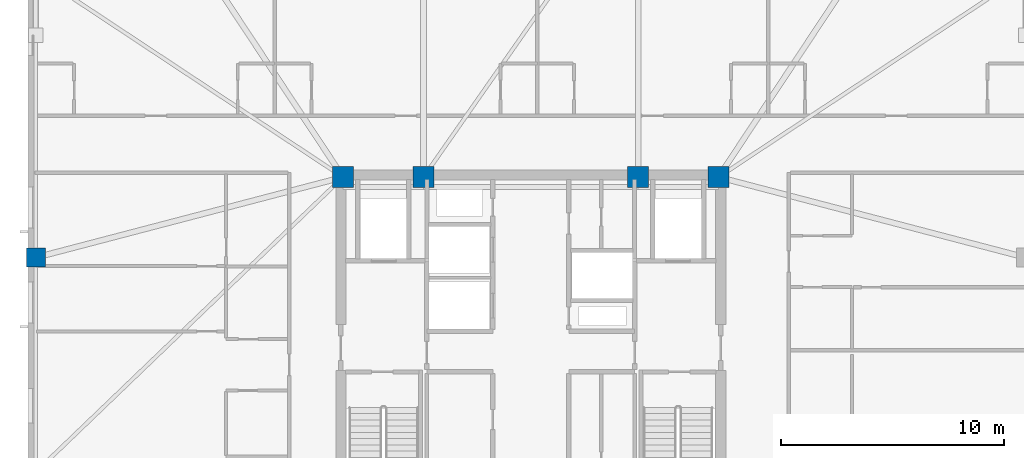
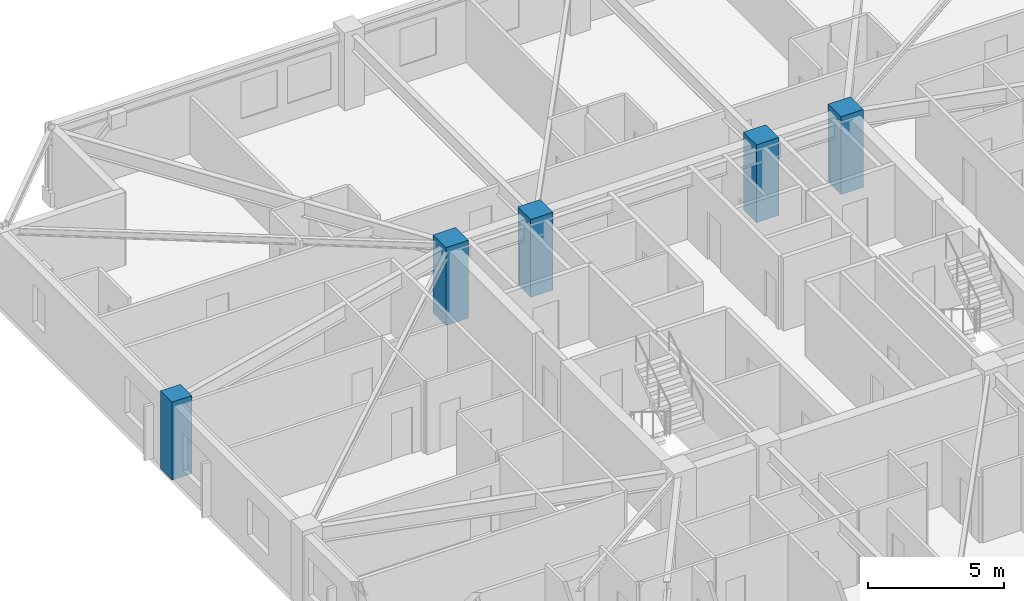
# One storey, part 2 of 17: 5 columns.
"""IFC4 building model written with IfcOpenShell, lengths in metres."""

import ifcopenshell
import ifcopenshell.guid

model = None  # the IFC model being written
_history = None  # IfcOwnerHistory: only IFC2X3 demands one
_inside = {}  # id of a spatial element -> (the spatial element, [elements in it])
_under = {}  # id of a project, library or spatial element -> (it, [spatial elements below it])
_declared = {}  # id of a project -> (the project, [libraries it declares])
_typed = {}  # id of a type object -> (the type object, [elements of that type])
_made_of = {}  # id of a material, layer set ... -> (it, [elements and type objects made of it])


def new_model(schema):
    """Start an empty IFC model of exactly this schema.

    Asked for "IFC4X3", IfcOpenShell would pick the latest addendum, in which some entities
    have other attributes; the version numbers below select the first issue.
    IFC2X3 requires an IfcOwnerHistory on every rooted entity: one is made here for all.
    """
    global model, _history
    if schema == "IFC4X3":
        model = ifcopenshell.file(schema_version=(4, 3, 0, 0))
    else:
        model = ifcopenshell.file(schema=schema)
    _inside.clear()
    _under.clear()
    _declared.clear()
    _typed.clear()
    _made_of.clear()
    _history = None
    if model.schema == "IFC2X3":
        org = make("IfcOrganization", Name="unknown")
        user = make(
            "IfcPersonAndOrganization",
            ThePerson=make("IfcPerson", FamilyName="unknown"),
            TheOrganization=org,
        )
        app = make(
            "IfcApplication",
            ApplicationDeveloper=org,
            Version="unknown",
            ApplicationFullName="unknown",
            ApplicationIdentifier="unknown",
        )
        _history = make(
            "IfcOwnerHistory",
            OwningUser=user,
            OwningApplication=app,
            ChangeAction="ADDED",
            CreationDate=0,
        )
    return model


def make(cls, **values):
    """One entity of the class cls with the attributes given. An attribute that is None is left unset."""
    return model.create_entity(
        cls, **{name: value for name, value in values.items() if value is not None}
    )


def rooted(cls, **values):
    """An entity with a GlobalId (a new one), such as an element, a storey or a relation."""
    return make(cls, GlobalId=ifcopenshell.guid.new(), OwnerHistory=_history, **values)


def si_unit(unit_type, name, prefix=None):
    """IfcSIUnit, for example si_unit("LENGTHUNIT", "METRE", prefix="MILLI")."""
    return make("IfcSIUnit", UnitType=unit_type, Prefix=prefix, Name=name)


def assignment(units):
    """IfcUnitAssignment: the units of a project."""
    return None if units is None else make("IfcUnitAssignment", Units=units)


def point(xyz):
    """IfcCartesianPoint."""
    return None if xyz is None else make("IfcCartesianPoint", Coordinates=xyz)


def direction(xyz):
    """IfcDirection."""
    return None if xyz is None else make("IfcDirection", DirectionRatios=xyz)


def frame(location, z_axis=None, x_axis=None):
    """IfcAxis2Placement3D, a coordinate frame: its origin and axes. An axis left out is left unset."""
    return make(
        "IfcAxis2Placement3D",
        Location=point(location),
        Axis=direction(z_axis),
        RefDirection=direction(x_axis),
    )


def frame_2d(location, x_axis=None):
    """IfcAxis2Placement2D, a coordinate frame in the plane: its origin and x axis."""
    return make(
        "IfcAxis2Placement2D", Location=point(location), RefDirection=direction(x_axis)
    )


def origin():
    """The frame at (0, 0, 0) with its axes left unset."""
    return frame((0.0, 0.0, 0.0))


def origin_2d():
    """The frame at (0, 0) in the plane with its x axis left unset."""
    return frame_2d((0.0, 0.0))


def place(relative_to, where):
    """IfcLocalPlacement: puts the frame where relative to a parent placement (None: the world)."""
    return make(
        "IfcLocalPlacement", PlacementRelTo=relative_to, RelativePlacement=where
    )


def context(
    kind, dimensions, precision=None, world=None, true_north=None, identifier=None
):
    """IfcGeometricRepresentationContext, for example the 3D "Model" context."""
    return make(
        "IfcGeometricRepresentationContext",
        ContextIdentifier=identifier,
        ContextType=kind,
        CoordinateSpaceDimension=dimensions,
        Precision=precision,
        WorldCoordinateSystem=world,
        TrueNorth=true_north,
    )


def subcontext(parent, identifier, kind, view, scale=None):
    """IfcGeometricRepresentationSubContext, for example "Body" below "Model"."""
    return make(
        "IfcGeometricRepresentationSubContext",
        ContextIdentifier=identifier,
        ContextType=kind,
        ParentContext=parent,
        TargetScale=scale,
        TargetView=view,
    )


def project(units=None, contexts=None):
    """IfcProject with its units and contexts."""
    return rooted(
        "IfcProject",
        Name="project",
        RepresentationContexts=contexts,
        UnitsInContext=assignment(units),
    )


def spatial(cls, under=None, at=None, **own):
    """A site, building, storey or space (cls), placed at a placement, below another one or the project."""
    s = rooted(cls, ObjectPlacement=at, **own)
    if under is not None:
        _under.setdefault(under.id(), (under, []))[1].append(s)
    return s


def profile(cls, at=None, kind="AREA", **sizes):
    """A parametric profile (cls). Its sizes go by their IFC names, for example OverallWidth=200.0."""
    return make(cls, ProfileType=kind, Position=at, **sizes)


def rectangle(**sizes):
    """IfcRectangleProfileDef."""
    return profile("IfcRectangleProfileDef", **sizes)


def extrude(swept, where, along, depth):
    """IfcExtrudedAreaSolid: the profile swept, set in the frame where, extruded along a direction by depth."""
    return make(
        "IfcExtrudedAreaSolid",
        SweptArea=swept,
        Position=where,
        ExtrudedDirection=direction(along),
        Depth=depth,
    )


def shape(context_of_items, identifier, shape_type, items):
    """IfcShapeRepresentation: the items that make up one representation, for example the "Body"."""
    return make(
        "IfcShapeRepresentation",
        ContextOfItems=context_of_items,
        RepresentationIdentifier=identifier,
        RepresentationType=shape_type,
        Items=items,
    )


def material(Name=None, Category=None):
    """IfcMaterial."""
    return make("IfcMaterial", Name=Name, Category=Category)


def material_profile(
    of_material, cross_section, Name=None, Category=None, Priority=None
):
    """IfcMaterialProfile: a cross section and its material."""
    return make(
        "IfcMaterialProfile",
        Name=Name,
        Material=of_material,
        Profile=cross_section,
        Priority=Priority,
        Category=Category,
    )


def profile_set(profiles, Name=None, composite=None):
    """IfcMaterialProfileSet."""
    return make(
        "IfcMaterialProfileSet",
        Name=Name,
        MaterialProfiles=profiles,
        CompositeProfile=composite,
    )


def made_of(thing, what):
    """Note that an element or type object is made of a material, layer set ...; save() writes the relation."""
    if what is not None:
        _made_of.setdefault(what.id(), (what, []))[1].append(thing)
    return thing


def type_object(cls, material=None, **own):
    """A type object (cls), such as IfcWallType, which elements share."""
    return made_of(rooted(cls, **own), material)


def element(
    cls,
    number,
    at=None,
    inside=None,
    cuts=None,
    type_object=None,
    material=None,
    context=None,
    identifier="Body",
    shape_type=None,
    held_by="IfcProductDefinitionShape",
    body=None,
    shapes=None,
    **own,
):
    """One element of the class cls, such as IfcWall. Its Tag is "e" and its number.

    at: its placement. inside: the storey or other place that contains it. cuts: it is an
    opening in that element (IfcRelVoidsElement). A single representation is given by context,
    identifier, shape_type and body (its items); several are given by shapes. held_by: the class
    of the entity that holds the representations. save() writes the other relations.
    """
    e = rooted(cls, Tag="e%d" % number, ObjectPlacement=at, **own)
    if body is not None:
        shapes = [shape(context, identifier, shape_type, body)]
    if shapes is not None:
        e.Representation = make(held_by, Representations=shapes)
    if inside is not None:
        _inside.setdefault(inside.id(), (inside, []))[1].append(e)
    if cuts is not None:
        rooted(
            "IfcRelVoidsElement", RelatingBuildingElement=cuts, RelatedOpeningElement=e
        )
    if type_object is not None:
        _typed.setdefault(type_object.id(), (type_object, []))[1].append(e)
    return made_of(e, material)


def aggregate(whole, parts):
    """IfcRelAggregates: a whole, such as a stair, and the parts it consists of."""
    return rooted("IfcRelAggregates", RelatingObject=whole, RelatedObjects=parts)


def save(model, path):
    """Write the relations noted so far, then the file.

    IfcRelAggregates (storeys below a building ...), IfcRelContainedInSpatialStructure (elements
    in a storey), IfcRelDefinesByType, IfcRelAssociatesMaterial and IfcRelDeclares: one each for
    every whole, place, type object, material and project.
    """
    for whole, parts in _under.values():
        aggregate(whole, parts)
    for where, things in _inside.values():
        rooted(
            "IfcRelContainedInSpatialStructure",
            RelatedElements=things,
            RelatingStructure=where,
        )
    for kind, things in _typed.values():
        rooted("IfcRelDefinesByType", RelatedObjects=things, RelatingType=kind)
    for what, things in _made_of.values():
        rooted("IfcRelAssociatesMaterial", RelatedObjects=things, RelatingMaterial=what)
    for by, libraries in _declared.values():
        rooted("IfcRelDeclares", RelatingContext=by, RelatedDefinitions=libraries)
    model.write(path)


model = new_model("IFC4")

# Units and contexts
model_context = context("Model", 3, precision=1e-05, world=origin(), true_north=direction((0.0, 1.0)))
body_context = subcontext(model_context, "Body", "Model", "MODEL_VIEW")
ifc_project = project(units=[si_unit("LENGTHUNIT", "METRE"), si_unit("AREAUNIT", "SQUARE_METRE"), si_unit("VOLUMEUNIT", "CUBIC_METRE"), si_unit("PLANEANGLEUNIT", "RADIAN"), si_unit("MASSUNIT", "GRAM", prefix="KILO")], contexts=[model_context])

# Site, building, storey
site_placement = place(None, origin())
site = spatial("IfcSite", under=ifc_project, at=site_placement, CompositionType="ELEMENT")
building_placement = place(site_placement, origin())
building = spatial("IfcBuilding", under=site, at=building_placement, Name="Cairnveth Concourse Tower", CompositionType="ELEMENT")
storey_placement = place(building_placement, frame((0.0, 0.0, 258.5)))
storey = spatial("IfcBuildingStorey", under=building, at=storey_placement, Name="L71", CompositionType="ELEMENT", Elevation=258.5)

# Columns
ifc_material = material(Name="Concrete N65 (65 MPa)", Category="concrete")
ifc_material_profile_1 = material_profile(ifc_material, rectangle(XDim=0.949951171875, YDim=0.949951171875, at=origin_2d()), Name="RC-COL-950x950")
ifc_profile_set_1 = profile_set([ifc_material_profile_1], Name="Concrete N65 (65 MPa)")
column_type_1 = type_object("IfcColumnType", Name="CORE COLUMN 950X950", PredefinedType="COLUMN", material=ifc_profile_set_1)
for number, where, z_axis, x_axis, name in (
    (1, (43.60009765625, 47.39990234375, 0.0), (0.0, 0.0, 1.0), (1.0, 0.0, 0.0), "Column CC5 L71"),
    (2, (47.199951171875, 47.39990234375, 0.0), (0.0, 0.0, 1.0), (1.0, 0.0, 0.0), "Column CC6 L71"),
    (3, (56.800048828125, 47.39990234375, 0.0), (0.0, 0.0, 1.0), (1.0, 0.0, 0.0), "Column CC7 L71"),
    (4, (60.39990234375, 47.39990234375, 0.0), (0.0, 0.0, 1.0), (1.0, 0.0, 0.0), "Column CC8 L71"),
):
    element("IfcColumn", number, at=place(storey_placement, frame(where, z_axis=z_axis, x_axis=x_axis)), inside=storey, type_object=column_type_1, Name=name, PredefinedType="COLUMN", context=body_context, shape_type="SweptSolid", body=[
        extrude(rectangle(XDim=0.949951171875, YDim=0.949951171875, at=origin_2d()), origin(), (0.0, 0.0, 1.0), 3.5),
    ])
ifc_material_profile_2 = material_profile(ifc_material, rectangle(XDim=0.85009765625, YDim=0.85009765625, at=origin_2d()), Name="RC-COL-850x850")
ifc_profile_set_2 = profile_set([ifc_material_profile_2], Name="Concrete N65 (65 MPa)")
column_type_2 = type_object("IfcColumnType", Name="PERIMETER PIER COLUMN 850X850", PredefinedType="COLUMN", material=ifc_profile_set_2)
column_placement = place(storey_placement, frame((29.85009765625, 43.800048828125, 0.0), z_axis=(0.0, 0.0, 1.0), x_axis=(0.0, 1.0, 0.0)))
element("IfcColumn", 5, at=column_placement, inside=storey, type_object=column_type_2, Name="Column P-W2 L71", PredefinedType="COLUMN", context=body_context, shape_type="SweptSolid", body=[
    extrude(rectangle(XDim=0.85009765625, YDim=0.85009765625, at=origin_2d()), origin(), (0.0, 0.0, 1.0), 3.5),
])

save(model, "model.ifc")
